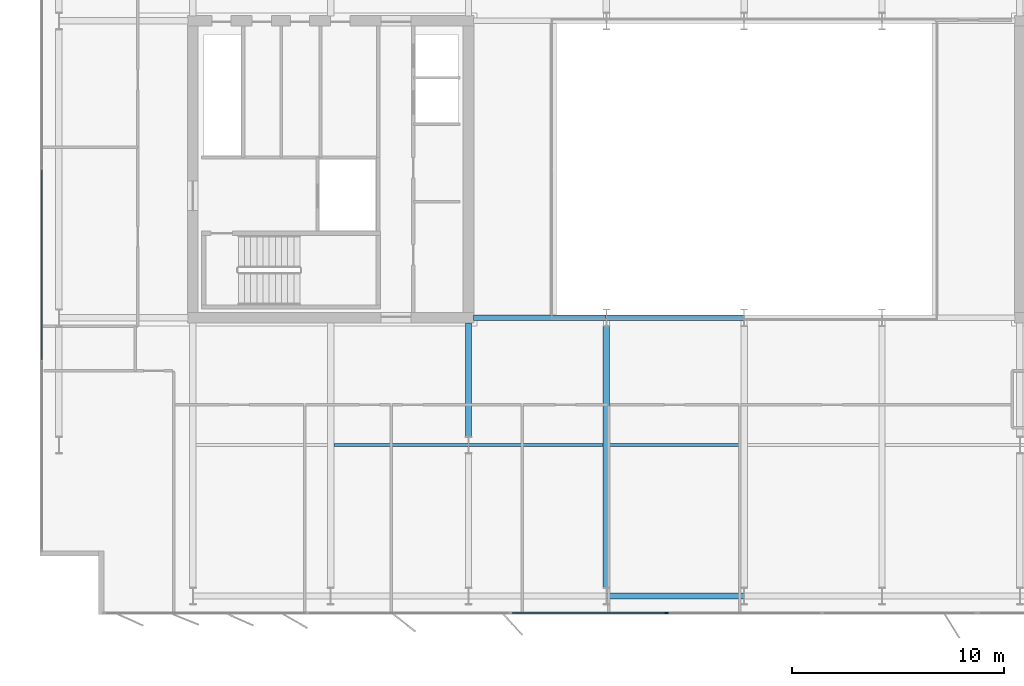
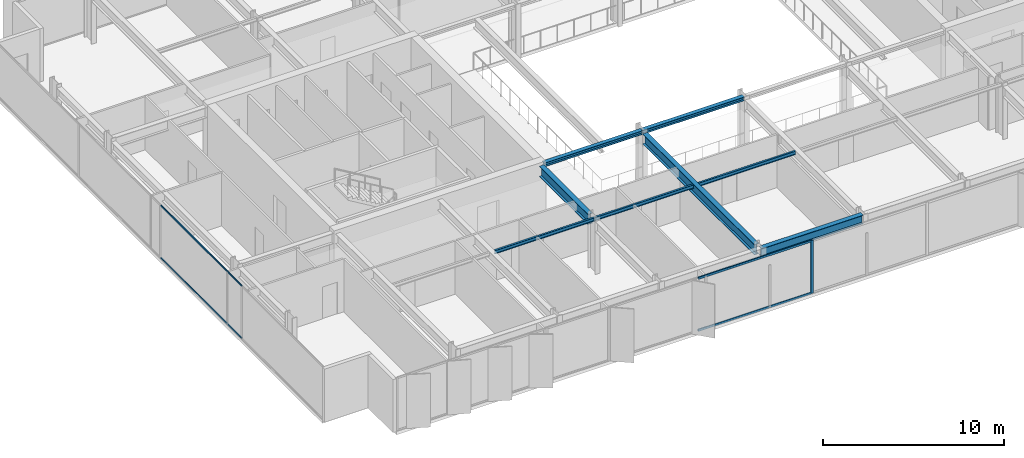
# One storey, part 4 of 23: 8 beams, 5 members, 2 elements without a shape of their own.
"""IFC4 building model written with IfcOpenShell, lengths in metres."""

from ifc_helpers import new_model, si_unit, direction, frame, origin, origin_2d, place, context, subcontext, project, spatial, rectangle, i_section, extrude, material, layer, layer_set, material_profile, profile_set, type_object, element, aggregate, save


model = new_model("IFC4")

# Units and contexts
model_context = context("Model", 3, precision=1e-05, world=origin(), true_north=direction((0.0, 1.0)))
body_context = subcontext(model_context, "Body", "Model", "MODEL_VIEW")
ifc_project = project(units=[si_unit("LENGTHUNIT", "METRE"), si_unit("AREAUNIT", "SQUARE_METRE"), si_unit("VOLUMEUNIT", "CUBIC_METRE"), si_unit("PLANEANGLEUNIT", "RADIAN"), si_unit("MASSUNIT", "GRAM", prefix="KILO")], contexts=[model_context])

# Site, building, storey
site_placement = place(None, origin())
site = spatial("IfcSite", under=ifc_project, at=site_placement, CompositionType="ELEMENT")
building_placement = place(site_placement, origin())
building = spatial("IfcBuilding", under=site, at=building_placement, Name="Putna Gate Headquarters", CompositionType="ELEMENT")
storey_placement = place(building_placement, frame((0.0, 0.0, 213.800048828125)))
storey = spatial("IfcBuildingStorey", under=building, at=storey_placement, Name="L53", CompositionType="ELEMENT", Elevation=213.800048828125)

# Beams
ifc_material_1 = material(Name="Steel S355J2", Category="steel")
ifc_material_profile_1 = material_profile(ifc_material_1, i_section(OverallWidth=0.260009765625, OverallDepth=0.260009765625, WebThickness=0.010009765625, FlangeThickness=0.017578125, at=origin_2d()), Name="Steel S355J2")
ifc_profile_set_1 = profile_set([ifc_material_profile_1], Name="Steel S355J2")
beam_type_1 = type_object("IfcBeamType", Name="BM-ATRIUM-HEB260", PredefinedType="BEAM", material=ifc_profile_set_1)
beam_1_placement = place(storey_placement, frame((26.235107421875, 19.0, 3.449951171875), z_axis=(1.0, 0.0, 0.0), x_axis=(0.0, 1.0, 0.0)))
element("IfcBeam", 1, at=beam_1_placement, inside=storey, type_object=beam_type_1, Name="L53 Atrium Edge Beam AS1", PredefinedType="BEAM", context=body_context, shape_type="SweptSolid", body=[
    extrude(i_section(OverallWidth=0.260009765625, OverallDepth=0.260009765625, WebThickness=0.010009765625, FlangeThickness=0.017578125, at=origin_2d()), origin(), (0.0, 0.0, 1.0), 6.2587890625),
])
beam_2_placement = place(storey_placement, frame((32.506103515625, 19.0, 3.449951171875), z_axis=(1.0, 0.0, 0.0), x_axis=(0.0, 1.0, 0.0)))
element("IfcBeam", 2, at=beam_2_placement, inside=storey, type_object=beam_type_1, Name="L53 Atrium Edge Beam AS2", PredefinedType="BEAM", context=body_context, shape_type="SweptSolid", body=[
    extrude(i_section(OverallWidth=0.260009765625, OverallDepth=0.260009765625, WebThickness=0.010009765625, FlangeThickness=0.017578125, at=origin_2d()), origin(), (0.0, 0.0, 1.0), 6.48779296875),
])
ifc_material_profile_2 = material_profile(ifc_material_1, i_section(OverallWidth=0.300048828125, OverallDepth=0.699951171875, WebThickness=0.01708984375, FlangeThickness=0.031982421875, at=origin_2d()), Name="Steel S355J2")
ifc_profile_set_2 = profile_set([ifc_material_profile_2], Name="Steel S355J2")
beam_type_2 = type_object("IfcBeamType", Name="BM-GIRD-B-HEB700", PredefinedType="USERDEFINED", material=ifc_profile_set_2)
beam_3_placement = place(storey_placement, frame((26.0, 13.39501953125, 3.22998046875), z_axis=(0.0, 1.0, 0.0), x_axis=(-1.0, 0.0, 0.0)))
element("IfcBeam", 3, at=beam_3_placement, inside=storey, type_object=beam_type_2, Name="L53 South Primary Girder X26-2", ObjectType="GIRDER", PredefinedType="USERDEFINED", context=body_context, shape_type="SweptSolid", body=[
    extrude(i_section(OverallWidth=0.300048828125, OverallDepth=0.699951171875, WebThickness=0.01708984375, FlangeThickness=0.031982421875, at=origin_2d()), origin(), (0.0, 0.0, 1.0), 5.369873046875),
])
beam_4_placement = place(storey_placement, frame((32.5, 6.27490234375, 3.22998046875), z_axis=(0.0, 1.0, 0.0), x_axis=(-1.0, 0.0, 0.0)))
element("IfcBeam", 4, at=beam_4_placement, inside=storey, type_object=beam_type_2, Name="L53 South Primary Girder X32", ObjectType="GIRDER", PredefinedType="USERDEFINED", context=body_context, shape_type="SweptSolid", body=[
    extrude(i_section(OverallWidth=0.300048828125, OverallDepth=0.699951171875, WebThickness=0.01708984375, FlangeThickness=0.031982421875, at=origin_2d()), origin(), (0.0, 0.0, 1.0), 12.330078125),
])
ifc_material_profile_3 = material_profile(ifc_material_1, i_section(OverallWidth=0.1201171875, OverallDepth=0.239990234375, WebThickness=0.006103515625, FlangeThickness=0.009765625, at=origin_2d()), Name="Steel S355J2")
ifc_profile_set_3 = profile_set([ifc_material_profile_3], Name="Steel S355J2")
beam_type_3 = type_object("IfcBeamType", Name="BM-SEC-Z4-IPE240", PredefinedType="JOIST", material=ifc_profile_set_3)
for number, where, z_axis, x_axis, name in (
    (5, (19.654052734375, 13.0, 3.4599609375), (1.0, 0.0, 0.0), (0.0, 1.0, 0.0), "L53 South Secondary Beam 2"),
    (6, (26.006103515625, 13.0, 3.4599609375), (1.0, 0.0, 0.0), (0.0, 1.0, 0.0), "L53 South Secondary Beam 3"),
):
    element("IfcBeam", number, at=place(storey_placement, frame(where, z_axis=z_axis, x_axis=x_axis)), inside=storey, type_object=beam_type_3, Name=name, PredefinedType="JOIST", context=body_context, shape_type="SweptSolid", body=[
        extrude(i_section(OverallWidth=0.1201171875, OverallDepth=0.239990234375, WebThickness=0.006103515625, FlangeThickness=0.009765625, at=origin_2d()), origin(), (0.0, 0.0, 1.0), 6.33984375),
    ])
beam_5_placement = place(storey_placement, frame((32.654052734375, 13.0, 3.4599609375), z_axis=(1.0, 0.0, 0.0), x_axis=(0.0, 1.0, 0.0)))
element("IfcBeam", 7, at=beam_5_placement, inside=storey, type_object=beam_type_3, Name="L53 South Secondary Beam 4", PredefinedType="JOIST", context=body_context, shape_type="SweptSolid", body=[
    extrude(i_section(OverallWidth=0.1201171875, OverallDepth=0.239990234375, WebThickness=0.006103515625, FlangeThickness=0.009765625, at=origin_2d()), origin(), (0.0, 0.0, 1.0), 6.19189453125),
])
ifc_material_profile_4 = material_profile(ifc_material_1, i_section(OverallWidth=0.300048828125, OverallDepth=0.590087890625, WebThickness=0.012939453125, FlangeThickness=0.02490234375, at=origin_2d()), Name="Steel S355J2")
ifc_profile_set_4 = profile_set([ifc_material_profile_4], Name="Steel S355J2")
beam_type_4 = type_object("IfcBeamType", Name="BM-SPAN-Z4-HEA600", PredefinedType="SPANDREL", material=ifc_profile_set_4)
beam_6_placement = place(storey_placement, frame((32.506103515625, 5.8798828125, 3.284912109375), z_axis=(1.0, 0.0, 0.0), x_axis=(0.0, 1.0, 0.0)))
element("IfcBeam", 8, at=beam_6_placement, inside=storey, type_object=beam_type_4, Name="L53 S Perimeter Spandrel 4", PredefinedType="SPANDREL", context=body_context, shape_type="SweptSolid", body=[
    extrude(i_section(OverallWidth=0.300048828125, OverallDepth=0.590087890625, WebThickness=0.012939453125, FlangeThickness=0.02490234375, at=origin_2d()), origin(), (0.0, 0.0, 1.0), 6.48779296875),
])

# Curtain wall, member
ifc_material_2 = material(Name="Anodised bronze aluminium curtain wall", Category="aluminium")
ifc_layer_1 = layer(ifc_material_2, 0.179931640625)
ifc_layer_set_1 = layer_set([ifc_layer_1], Name="Anodised bronze aluminium curtain wall")
curtain_wall_type_1 = type_object("IfcCurtainWallType", Name="CW-SYS-ATR", PredefinedType="USERDEFINED", material=ifc_layer_set_1)
curtain_wall_1_placement = place(storey_placement, origin())
curtain_wall_1 = element("IfcCurtainWall", 9, at=curtain_wall_1_placement, inside=storey, type_object=curtain_wall_type_1, Name="L53 South Atrium Clear Glazing", ObjectType="ATRIUM GLAZING", PredefinedType="USERDEFINED")
ifc_material_3 = material(Name="Anodised bronze aluminium EN AW-6060", Category="aluminium")
ifc_material_profile_5 = material_profile(ifc_material_3, rectangle(XDim=0.070068359375, YDim=0.179931640625, at=origin_2d()), Name="Anodised bronze aluminium EN AW-6060")
ifc_profile_set_5 = profile_set([ifc_material_profile_5], Name="Anodised bronze aluminium EN AW-6060")
member_type_1 = type_object("IfcMemberType", Name="MULL-CWM-AT", PredefinedType="MULLION", material=ifc_profile_set_5)
member_1_placement = place(storey_placement, frame((35.333251953125, 5.080078125, 0.0), z_axis=(0.0, 0.0, 1.0), x_axis=(0.0, 1.0, 0.0)))
member_1 = element("IfcMember", 10, at=member_1_placement, type_object=member_type_1, Name="CWS-AT mullion 2", PredefinedType="MULLION", context=body_context, shape_type="SweptSolid", body=[
    extrude(rectangle(XDim=0.070068359375, YDim=0.179931640625, at=origin_2d()), origin(), (0.0, 0.0, 1.0), 3.579833984375),
])

# Curtain wall, members
ifc_layer_2 = layer(ifc_material_2, 0.139892578125)
ifc_layer_set_2 = layer_set([ifc_layer_2], Name="Anodised bronze aluminium curtain wall")
curtain_wall_type_2 = type_object("IfcCurtainWallType", Name="CW-SYS-Z4", PredefinedType="USERDEFINED", material=ifc_layer_set_2)
curtain_wall_2_placement = place(storey_placement, origin())
curtain_wall_2 = element("IfcCurtainWall", 11, at=curtain_wall_2_placement, inside=storey, type_object=curtain_wall_type_2, Name="L53 West Curtain Wall", ObjectType="STICK CURTAIN WALL", PredefinedType="USERDEFINED")
ifc_material_profile_6 = material_profile(ifc_material_3, rectangle(XDim=0.06005859375, YDim=0.10009765625, at=origin_2d()), Name="Anodised bronze aluminium EN AW-6060")
ifc_profile_set_6 = profile_set([ifc_material_profile_6], Name="Anodised bronze aluminium EN AW-6060")
member_type_2 = type_object("IfcMemberType", Name="TRAN-CWT-4", PredefinedType="USERDEFINED", material=ifc_profile_set_6)
member_2_placement = place(storey_placement, frame((5.8798828125, 17.030029296875, 0.030029296875), z_axis=(0.0, 1.0, 0.0), x_axis=(-1.0, 0.0, 0.0)))
member_2 = element("IfcMember", 12, at=member_2_placement, type_object=member_type_2, Name="CWS-4 transom 2.1", ObjectType="TRANSOM", PredefinedType="USERDEFINED", context=body_context, shape_type="SweptSolid", body=[
    extrude(rectangle(XDim=0.06005859375, YDim=0.10009765625, at=origin_2d()), origin(), (0.0, 0.0, 1.0), 8.93994140625),
])
member_3_placement = place(storey_placement, frame((5.8798828125, 17.030029296875, 3.550048828125), z_axis=(0.0, 1.0, 0.0), x_axis=(-1.0, 0.0, 0.0)))
member_3 = element("IfcMember", 13, at=member_3_placement, type_object=member_type_2, Name="CWS-4 transom 2.2", ObjectType="TRANSOM", PredefinedType="USERDEFINED", context=body_context, shape_type="SweptSolid", body=[
    extrude(rectangle(XDim=0.06005859375, YDim=0.10009765625, at=origin_2d()), origin(), (0.0, 0.0, 1.0), 8.93994140625),
])
aggregate(curtain_wall_2, [member_2, member_3])

# Member
ifc_material_profile_7 = material_profile(ifc_material_3, rectangle(XDim=0.070068359375, YDim=0.139892578125, at=origin_2d()), Name="Anodised bronze aluminium EN AW-6060")
ifc_profile_set_7 = profile_set([ifc_material_profile_7], Name="Anodised bronze aluminium EN AW-6060")
member_type_3 = type_object("IfcMemberType", Name="TRAN-CWT-AT", PredefinedType="USERDEFINED", material=ifc_profile_set_7)
member_4_placement = place(storey_placement, frame((28.070068359375, 5.080078125, 0.034912109375), z_axis=(1.0, 0.0, 0.0), x_axis=(0.0, 1.0, 0.0)))
member_4 = element("IfcMember", 14, at=member_4_placement, type_object=member_type_3, Name="CWS-AT transom 1.1", ObjectType="TRANSOM", PredefinedType="USERDEFINED", context=body_context, shape_type="SweptSolid", body=[
    extrude(rectangle(XDim=0.070068359375, YDim=0.139892578125, at=origin_2d()), origin(), (0.0, 0.0, 1.0), 7.228271484375),
])

member_5_placement = place(storey_placement, frame((28.070068359375, 5.080078125, 3.544921875), z_axis=(1.0, 0.0, 0.0), x_axis=(0.0, 1.0, 0.0)))
member_5 = element("IfcMember", 15, at=member_5_placement, type_object=member_type_3, Name="CWS-AT transom 1.2", ObjectType="TRANSOM", PredefinedType="USERDEFINED", context=body_context, shape_type="SweptSolid", body=[
    extrude(rectangle(XDim=0.070068359375, YDim=0.139892578125, at=origin_2d()), origin(), (0.0, 0.0, 1.0), 7.228271484375),
])

aggregate(curtain_wall_1, [member_1, member_4, member_5])

save(model, "model.ifc")
